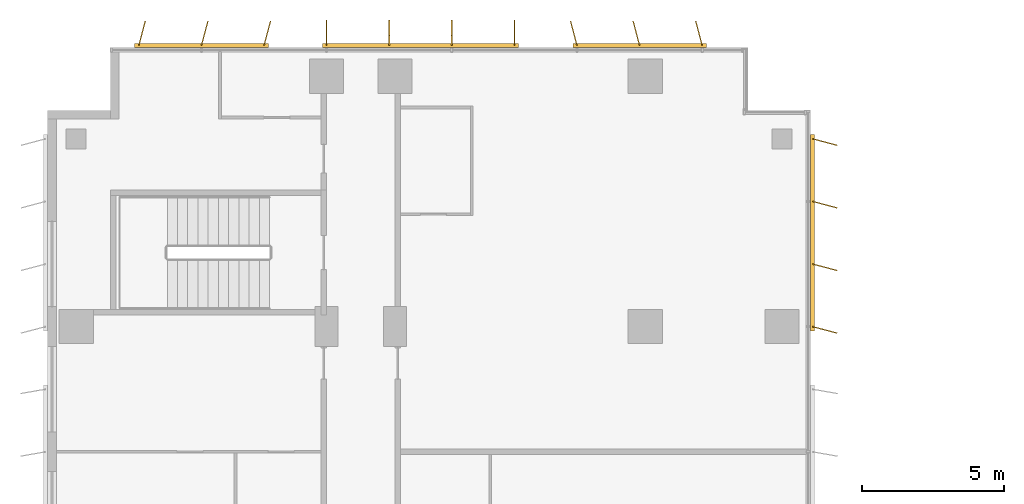
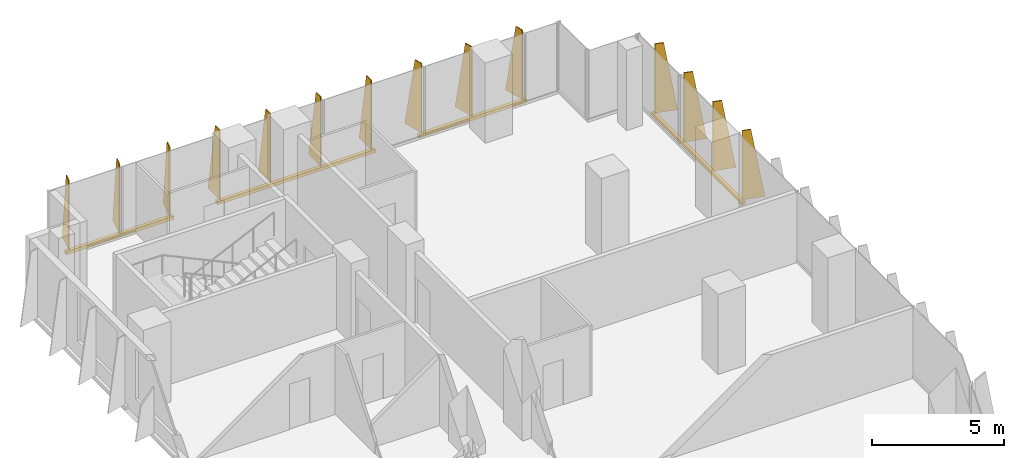
# One storey, part 22 of 22: 4 shading devices.
"""IFC4 building model written with IfcOpenShell, lengths in metres."""

import ifcopenshell
import ifcopenshell.guid

model = None  # the IFC model being written
_history = None  # IfcOwnerHistory: only IFC2X3 demands one
_inside = {}  # id of a spatial element -> (the spatial element, [elements in it])
_under = {}  # id of a project, library or spatial element -> (it, [spatial elements below it])
_declared = {}  # id of a project -> (the project, [libraries it declares])
_typed = {}  # id of a type object -> (the type object, [elements of that type])
_made_of = {}  # id of a material, layer set ... -> (it, [elements and type objects made of it])


def new_model(schema):
    """Start an empty IFC model of exactly this schema.

    Asked for "IFC4X3", IfcOpenShell would pick the latest addendum, in which some entities
    have other attributes; the version numbers below select the first issue.
    IFC2X3 requires an IfcOwnerHistory on every rooted entity: one is made here for all.
    """
    global model, _history
    if schema == "IFC4X3":
        model = ifcopenshell.file(schema_version=(4, 3, 0, 0))
    else:
        model = ifcopenshell.file(schema=schema)
    _inside.clear()
    _under.clear()
    _declared.clear()
    _typed.clear()
    _made_of.clear()
    _history = None
    if model.schema == "IFC2X3":
        org = make("IfcOrganization", Name="unknown")
        user = make(
            "IfcPersonAndOrganization",
            ThePerson=make("IfcPerson", FamilyName="unknown"),
            TheOrganization=org,
        )
        app = make(
            "IfcApplication",
            ApplicationDeveloper=org,
            Version="unknown",
            ApplicationFullName="unknown",
            ApplicationIdentifier="unknown",
        )
        _history = make(
            "IfcOwnerHistory",
            OwningUser=user,
            OwningApplication=app,
            ChangeAction="ADDED",
            CreationDate=0,
        )
    return model


def make(cls, **values):
    """One entity of the class cls with the attributes given. An attribute that is None is left unset."""
    return model.create_entity(
        cls, **{name: value for name, value in values.items() if value is not None}
    )


def rooted(cls, **values):
    """An entity with a GlobalId (a new one), such as an element, a storey or a relation."""
    return make(cls, GlobalId=ifcopenshell.guid.new(), OwnerHistory=_history, **values)


def si_unit(unit_type, name, prefix=None):
    """IfcSIUnit, for example si_unit("LENGTHUNIT", "METRE", prefix="MILLI")."""
    return make("IfcSIUnit", UnitType=unit_type, Prefix=prefix, Name=name)


def assignment(units):
    """IfcUnitAssignment: the units of a project."""
    return None if units is None else make("IfcUnitAssignment", Units=units)


def point(xyz):
    """IfcCartesianPoint."""
    return None if xyz is None else make("IfcCartesianPoint", Coordinates=xyz)


def direction(xyz):
    """IfcDirection."""
    return None if xyz is None else make("IfcDirection", DirectionRatios=xyz)


def frame(location, z_axis=None, x_axis=None):
    """IfcAxis2Placement3D, a coordinate frame: its origin and axes. An axis left out is left unset."""
    return make(
        "IfcAxis2Placement3D",
        Location=point(location),
        Axis=direction(z_axis),
        RefDirection=direction(x_axis),
    )


def frame_2d(location, x_axis=None):
    """IfcAxis2Placement2D, a coordinate frame in the plane: its origin and x axis."""
    return make(
        "IfcAxis2Placement2D", Location=point(location), RefDirection=direction(x_axis)
    )


def origin():
    """The frame at (0, 0, 0) with its axes left unset."""
    return frame((0.0, 0.0, 0.0))


def origin_2d():
    """The frame at (0, 0) in the plane with its x axis left unset."""
    return frame_2d((0.0, 0.0))


def place(relative_to, where):
    """IfcLocalPlacement: puts the frame where relative to a parent placement (None: the world)."""
    return make(
        "IfcLocalPlacement", PlacementRelTo=relative_to, RelativePlacement=where
    )


def context(
    kind, dimensions, precision=None, world=None, true_north=None, identifier=None
):
    """IfcGeometricRepresentationContext, for example the 3D "Model" context."""
    return make(
        "IfcGeometricRepresentationContext",
        ContextIdentifier=identifier,
        ContextType=kind,
        CoordinateSpaceDimension=dimensions,
        Precision=precision,
        WorldCoordinateSystem=world,
        TrueNorth=true_north,
    )


def subcontext(parent, identifier, kind, view, scale=None):
    """IfcGeometricRepresentationSubContext, for example "Body" below "Model"."""
    return make(
        "IfcGeometricRepresentationSubContext",
        ContextIdentifier=identifier,
        ContextType=kind,
        ParentContext=parent,
        TargetScale=scale,
        TargetView=view,
    )


def project(units=None, contexts=None):
    """IfcProject with its units and contexts."""
    return rooted(
        "IfcProject",
        Name="project",
        RepresentationContexts=contexts,
        UnitsInContext=assignment(units),
    )


def spatial(cls, under=None, at=None, **own):
    """A site, building, storey or space (cls), placed at a placement, below another one or the project."""
    s = rooted(cls, ObjectPlacement=at, **own)
    if under is not None:
        _under.setdefault(under.id(), (under, []))[1].append(s)
    return s


def polyline(points):
    """IfcPolyline through the points."""
    return make("IfcPolyline", Points=[point(p) for p in points])


def profile(cls, at=None, kind="AREA", **sizes):
    """A parametric profile (cls). Its sizes go by their IFC names, for example OverallWidth=200.0."""
    return make(cls, ProfileType=kind, Position=at, **sizes)


def rectangle(**sizes):
    """IfcRectangleProfileDef."""
    return profile("IfcRectangleProfileDef", **sizes)


def outline(outer, holes=None, kind="AREA"):
    """IfcArbitraryClosedProfileDef: a profile drawn as a closed curve; with holes, ...WithVoids."""
    if holes is None:
        return make("IfcArbitraryClosedProfileDef", ProfileType=kind, OuterCurve=outer)
    return make(
        "IfcArbitraryProfileDefWithVoids",
        ProfileType=kind,
        OuterCurve=outer,
        InnerCurves=holes,
    )


def extrude(swept, where, along, depth):
    """IfcExtrudedAreaSolid: the profile swept, set in the frame where, extruded along a direction by depth."""
    return make(
        "IfcExtrudedAreaSolid",
        SweptArea=swept,
        Position=where,
        ExtrudedDirection=direction(along),
        Depth=depth,
    )


def shape(context_of_items, identifier, shape_type, items):
    """IfcShapeRepresentation: the items that make up one representation, for example the "Body"."""
    return make(
        "IfcShapeRepresentation",
        ContextOfItems=context_of_items,
        RepresentationIdentifier=identifier,
        RepresentationType=shape_type,
        Items=items,
    )


def source(mapping_origin, context_of_items, identifier, shape_type, items):
    """IfcRepresentationMap: a shape defined once, which mapped items show again and again."""
    return make(
        "IfcRepresentationMap",
        MappingOrigin=mapping_origin,
        MappedRepresentation=shape(context_of_items, identifier, shape_type, items),
    )


def transform(
    local_origin,
    x_axis=None,
    y_axis=None,
    z_axis=None,
    scale=None,
    scale2=None,
    scale3=None,
    uniform=True,
):
    """IfcCartesianTransformationOperator3D, or its non-uniform kind. x_axis, y_axis, z_axis: its Axis1, 2, 3."""
    if uniform:
        return make(
            "IfcCartesianTransformationOperator3D",
            Axis1=direction(x_axis),
            Axis2=direction(y_axis),
            LocalOrigin=point(local_origin),
            Scale=scale,
            Axis3=direction(z_axis),
        )
    return make(
        "IfcCartesianTransformationOperator3DnonUniform",
        Axis1=direction(x_axis),
        Axis2=direction(y_axis),
        LocalOrigin=point(local_origin),
        Scale=scale,
        Axis3=direction(z_axis),
        Scale2=scale2,
        Scale3=scale3,
    )


def mapped(mapping_source, mapping_target):
    """IfcMappedItem: shows the shape of a source again, moved by a transform."""
    return make(
        "IfcMappedItem", MappingSource=mapping_source, MappingTarget=mapping_target
    )


def material(Name=None, Category=None):
    """IfcMaterial."""
    return make("IfcMaterial", Name=Name, Category=Category)


def layer(
    of_material, thickness, ventilated=None, Name=None, Category=None, Priority=None
):
    """IfcMaterialLayer: one layer of a wall or slab, of a material (None: an air gap)."""
    return make(
        "IfcMaterialLayer",
        Material=of_material,
        LayerThickness=thickness,
        IsVentilated=ventilated,
        Name=Name,
        Category=Category,
        Priority=Priority,
    )


def layer_set(layers, Name=None):
    """IfcMaterialLayerSet."""
    return make("IfcMaterialLayerSet", MaterialLayers=layers, LayerSetName=Name)


def made_of(thing, what):
    """Note that an element or type object is made of a material, layer set ...; save() writes the relation."""
    if what is not None:
        _made_of.setdefault(what.id(), (what, []))[1].append(thing)
    return thing


def type_object(cls, material=None, **own):
    """A type object (cls), such as IfcWallType, which elements share."""
    return made_of(rooted(cls, **own), material)


def element(
    cls,
    number,
    at=None,
    inside=None,
    cuts=None,
    type_object=None,
    material=None,
    context=None,
    identifier="Body",
    shape_type=None,
    held_by="IfcProductDefinitionShape",
    body=None,
    shapes=None,
    **own,
):
    """One element of the class cls, such as IfcWall. Its Tag is "e" and its number.

    at: its placement. inside: the storey or other place that contains it. cuts: it is an
    opening in that element (IfcRelVoidsElement). A single representation is given by context,
    identifier, shape_type and body (its items); several are given by shapes. held_by: the class
    of the entity that holds the representations. save() writes the other relations.
    """
    e = rooted(cls, Tag="e%d" % number, ObjectPlacement=at, **own)
    if body is not None:
        shapes = [shape(context, identifier, shape_type, body)]
    if shapes is not None:
        e.Representation = make(held_by, Representations=shapes)
    if inside is not None:
        _inside.setdefault(inside.id(), (inside, []))[1].append(e)
    if cuts is not None:
        rooted(
            "IfcRelVoidsElement", RelatingBuildingElement=cuts, RelatedOpeningElement=e
        )
    if type_object is not None:
        _typed.setdefault(type_object.id(), (type_object, []))[1].append(e)
    return made_of(e, material)


def aggregate(whole, parts):
    """IfcRelAggregates: a whole, such as a stair, and the parts it consists of."""
    return rooted("IfcRelAggregates", RelatingObject=whole, RelatedObjects=parts)


def save(model, path):
    """Write the relations noted so far, then the file.

    IfcRelAggregates (storeys below a building ...), IfcRelContainedInSpatialStructure (elements
    in a storey), IfcRelDefinesByType, IfcRelAssociatesMaterial and IfcRelDeclares: one each for
    every whole, place, type object, material and project.
    """
    for whole, parts in _under.values():
        aggregate(whole, parts)
    for where, things in _inside.values():
        rooted(
            "IfcRelContainedInSpatialStructure",
            RelatedElements=things,
            RelatingStructure=where,
        )
    for kind, things in _typed.values():
        rooted("IfcRelDefinesByType", RelatedObjects=things, RelatingType=kind)
    for what, things in _made_of.values():
        rooted("IfcRelAssociatesMaterial", RelatedObjects=things, RelatingMaterial=what)
    for by, libraries in _declared.values():
        rooted("IfcRelDeclares", RelatingContext=by, RelatedDefinitions=libraries)
    model.write(path)


model = new_model("IFC4")

# Units and contexts
model_context = context("Model", 3, precision=1e-05, world=origin(), true_north=direction((0.0, 1.0)))
body_context = subcontext(model_context, "Body", "Model", "MODEL_VIEW")
ifc_project = project(units=[si_unit("LENGTHUNIT", "METRE"), si_unit("AREAUNIT", "SQUARE_METRE"), si_unit("VOLUMEUNIT", "CUBIC_METRE"), si_unit("PLANEANGLEUNIT", "RADIAN"), si_unit("MASSUNIT", "GRAM", prefix="KILO")], contexts=[model_context])

# Site, building, storey
site_placement = place(None, origin())
site = spatial("IfcSite", under=ifc_project, at=site_placement, CompositionType="ELEMENT")
building_placement = place(site_placement, origin())
building = spatial("IfcBuilding", under=site, at=building_placement, Name="Kemantara Hotel Tower", CompositionType="ELEMENT")
storey_placement = place(building_placement, frame((0.0, 0.0, 149.39990234375)))
storey = spatial("IfcBuildingStorey", under=building, at=storey_placement, Name="L36", CompositionType="ELEMENT", Elevation=149.39990234375)

# Shading devices
ifc_material = material(Name="Perforated aluminium plate 4 mm bronze anodised", Category="aluminium")
ifc_layer_1 = layer(ifc_material, 0.0400390625)
ifc_layer_set_1 = layer_set([ifc_layer_1], Name="Perforated aluminium plate 4 mm bronze anodised")
shading_device_type_1 = type_object("IfcShadingDeviceType", Name="SCREEN FIN CASSETTE, 3 BLADES AT -15.0 DEG, 3200 HIGH", PredefinedType="USERDEFINED", material=ifc_layer_set_1)
shared_shape_1 = source(origin(), body_context, "Body", "SweptSolid", [
    extrude(rectangle(XDim=4.699951171875, YDim=0.14990234375, at=origin_2d()), frame((2.199951171875, -0.074951171875, -0.14990234375), z_axis=(0.0, 0.0, 1.0), x_axis=(1.0, 0.0, 0.0)), (0.0, 0.0, 1.0), 0.14990234375),
    extrude(outline(polyline([(0.0, 0.0), (0.89990234375, 0.0), (0.35009765625, 3.199951171875), (0.0, 3.199951171875), (0.0, 0.0)])), frame((0.019287109375, -0.080078125, 0.0), z_axis=(-0.966437683387, 0.256901156343, 0.0), x_axis=(-0.256901156343, -0.966437683387, 0.0)), (0.0, 0.0, 1.0), 0.039794921875),
    extrude(outline(polyline([(0.0, 0.0), (0.89990234375, 0.0), (0.35009765625, 3.199951171875), (0.0, 3.199951171875), (0.0, 0.0)])), frame((2.21923828125, -0.080078125, 0.0), z_axis=(-0.966437683387, 0.256901156343, 0.0), x_axis=(-0.256901156343, -0.966437683387, 0.0)), (0.0, 0.0, 1.0), 0.039794921875),
    extrude(outline(polyline([(0.0, 0.0), (0.89990234375, 0.0), (0.35009765625, 3.199951171875), (0.0, 3.199951171875), (0.0, 0.0)])), frame((4.41943359375, -0.080078125, 0.0), z_axis=(-0.966837822169, 0.255391122837, 0.0), x_axis=(-0.255391122837, -0.966837822169, 0.0)), (0.0, 0.0, 1.0), 0.0400390625),
])
shading_device_1_placement = place(storey_placement, frame((7.60009765625, 81.199951171875, 0.10009765625), z_axis=(0.0, 0.0, 1.0), x_axis=(-1.0, 0.0, 0.0)))
element("IfcShadingDevice", 1, at=shading_device_1_placement, inside=storey, type_object=shading_device_type_1, Name="SCREEN FIN CASSETTE L36 T2-R01-3", ObjectType="SCREEN FIN", PredefinedType="USERDEFINED", context=body_context, shape_type="MappedRepresentation", body=[
    mapped(shared_shape_1, transform((0.0, 0.0, 0.0))),
])
ifc_layer_2 = layer(ifc_material, 0.0400390625)
ifc_layer_set_2 = layer_set([ifc_layer_2], Name="Perforated aluminium plate 4 mm bronze anodised")
shading_device_type_2 = type_object("IfcShadingDeviceType", Name="SCREEN FIN CASSETTE, 4 BLADES AT +0.0 DEG, 3200 HIGH", PredefinedType="USERDEFINED", material=ifc_layer_set_2)
shared_shape_2 = source(origin(), body_context, "Body", "SweptSolid", [
    extrude(rectangle(XDim=6.89990234375, YDim=0.14990234375, at=origin_2d()), frame((3.300048828125, -0.074951171875, -0.14990234375), z_axis=(0.0, 0.0, 1.0), x_axis=(1.0, 0.0, 0.0)), (0.0, 0.0, 1.0), 0.14990234375),
    extrude(outline(polyline([(0.0, 0.0), (0.89990234375, 0.0), (0.35009765625, 3.199951171875), (0.0, 3.199951171875), (0.0, 0.0)])), frame((0.02001953125, -0.074951171875, 0.0), z_axis=(-1.0, 0.0, 0.0), x_axis=(0.0, -1.0, 0.0)), (0.0, 0.0, 1.0), 0.0400390625),
    extrude(outline(polyline([(0.0, 0.0), (0.89990234375, 0.0), (0.35009765625, 3.199951171875), (0.0, 3.199951171875), (0.0, 0.0)])), frame((2.219970703125, -0.074951171875, 0.0), z_axis=(-1.0, 0.0, 0.0), x_axis=(0.0, -1.0, 0.0)), (0.0, 0.0, 1.0), 0.0400390625),
    extrude(outline(polyline([(0.0, 0.0), (0.89990234375, 0.0), (0.35009765625, 3.199951171875), (0.0, 3.199951171875), (0.0, 0.0)])), frame((4.419921875, -0.074951171875, 0.0), z_axis=(-1.0, 0.0, 0.0), x_axis=(0.0, -1.0, 0.0)), (0.0, 0.0, 1.0), 0.0400390625),
    extrude(outline(polyline([(0.0, 0.0), (0.89990234375, 0.0), (0.35009765625, 3.199951171875), (0.0, 3.199951171875), (0.0, 0.0)])), frame((6.6201171875, -0.074951171875, 0.0), z_axis=(-1.0, 0.0, 0.0), x_axis=(0.0, -1.0, 0.0)), (0.0, 0.0, 1.0), 0.0400390625),
])
shading_device_2_placement = place(storey_placement, frame((16.39990234375, 81.199951171875, 0.10009765625), z_axis=(0.0, 0.0, 1.0), x_axis=(-1.0, 0.0, 0.0)))
element("IfcShadingDevice", 2, at=shading_device_2_placement, inside=storey, type_object=shading_device_type_2, Name="SCREEN FIN CASSETTE L36 T2-R01-2", ObjectType="SCREEN FIN", PredefinedType="USERDEFINED", context=body_context, shape_type="MappedRepresentation", body=[
    mapped(shared_shape_2, transform((0.0, 0.0, 0.0))),
])
ifc_layer_3 = layer(ifc_material, 0.0400390625)
ifc_layer_set_3 = layer_set([ifc_layer_3], Name="Perforated aluminium plate 4 mm bronze anodised")
shading_device_type_3 = type_object("IfcShadingDeviceType", Name="SCREEN FIN CASSETTE, 3 BLADES AT +15.0 DEG, 3200 HIGH", PredefinedType="USERDEFINED", material=ifc_layer_set_3)
shared_shape_3 = source(origin(), body_context, "Body", "SweptSolid", [
    extrude(rectangle(XDim=4.699951171875, YDim=0.14990234375, at=origin_2d()), frame((2.199951171875, -0.074951171875, -0.14990234375), z_axis=(0.0, 0.0, 1.0), x_axis=(1.0, 0.0, 0.0)), (0.0, 0.0, 1.0), 0.14990234375),
    extrude(outline(polyline([(0.0, 0.0), (0.89990234375, 0.0), (0.35009765625, 3.199951171875), (0.0, 3.199951171875), (0.0, 0.0)])), frame((0.019287109375, -0.06982421875, 0.0), z_axis=(-0.966437683387, -0.256901156343, 0.0), x_axis=(0.256901156343, -0.966437683387, 0.0)), (0.0, 0.0, 1.0), 0.039794921875),
    extrude(outline(polyline([(0.0, 0.0), (0.89990234375, 0.0), (0.35009765625, 3.199951171875), (0.0, 3.199951171875), (0.0, 0.0)])), frame((2.21923828125, -0.06982421875, 0.0), z_axis=(-0.966437683387, -0.256901156343, 0.0), x_axis=(0.256901156343, -0.966437683387, 0.0)), (0.0, 0.0, 1.0), 0.039794921875),
    extrude(outline(polyline([(0.0, 0.0), (0.89990234375, 0.0), (0.35009765625, 3.199951171875), (0.0, 3.199951171875), (0.0, 0.0)])), frame((4.41943359375, -0.06982421875, 0.0), z_axis=(-0.966837822169, -0.255391122837, 0.0), x_axis=(0.255391122837, -0.966837822169, 0.0)), (0.0, 0.0, 1.0), 0.0400390625),
])
shading_device_3_placement = place(storey_placement, frame((23.0, 81.199951171875, 0.10009765625), z_axis=(0.0, 0.0, 1.0), x_axis=(-1.0, 0.0, 0.0)))
element("IfcShadingDevice", 3, at=shading_device_3_placement, inside=storey, type_object=shading_device_type_3, Name="SCREEN FIN CASSETTE L36 T2-R01-1", ObjectType="SCREEN FIN", PredefinedType="USERDEFINED", context=body_context, shape_type="MappedRepresentation", body=[
    mapped(shared_shape_3, transform((0.0, 0.0, 0.0))),
])
ifc_layer_4 = layer(ifc_material, 0.0400390625)
ifc_layer_set_4 = layer_set([ifc_layer_4], Name="Perforated aluminium plate 4 mm bronze anodised")
shading_device_type_4 = type_object("IfcShadingDeviceType", Name="SCREEN FIN CASSETTE, 4 BLADES AT -15.0 DEG, 3200 HIGH", PredefinedType="USERDEFINED", material=ifc_layer_set_4)
shared_shape_4 = source(origin(), body_context, "Body", "SweptSolid", [
    extrude(rectangle(XDim=6.89990234375, YDim=0.14990234375, at=origin_2d()), frame((3.300048828125, -0.074951171875, -0.14990234375), z_axis=(0.0, 0.0, 1.0), x_axis=(1.0, 0.0, 0.0)), (0.0, 0.0, 1.0), 0.14990234375),
    extrude(outline(polyline([(0.0, 0.0), (0.89990234375, 0.0), (0.35009765625, 3.199951171875), (0.0, 3.199951171875), (0.0, 0.0)])), frame((0.019287109375, -0.080078125, 0.0), z_axis=(-0.966437683387, 0.256901156343, 0.0), x_axis=(-0.256901156343, -0.966437683387, 0.0)), (0.0, 0.0, 1.0), 0.039794921875),
    extrude(outline(polyline([(0.0, 0.0), (0.89990234375, 0.0), (0.35009765625, 3.199951171875), (0.0, 3.199951171875), (0.0, 0.0)])), frame((2.21923828125, -0.080078125, 0.0), z_axis=(-0.966437683387, 0.256901156343, 0.0), x_axis=(-0.256901156343, -0.966437683387, 0.0)), (0.0, 0.0, 1.0), 0.039794921875),
    extrude(outline(polyline([(0.0, 0.0), (0.89990234375, 0.0), (0.35009765625, 3.199951171875), (0.0, 3.199951171875), (0.0, 0.0)])), frame((4.41943359375, -0.080078125, 0.0), z_axis=(-0.966837822169, 0.255391122837, 0.0), x_axis=(-0.255391122837, -0.966837822169, 0.0)), (0.0, 0.0, 1.0), 0.0400390625),
    extrude(outline(polyline([(0.0, 0.0), (0.89990234375, 0.0), (0.35009765625, 3.199951171875), (0.0, 3.199951171875), (0.0, 0.0)])), frame((6.619384765625, -0.080078125, 0.0), z_axis=(-0.966837822169, 0.255391122837, 0.0), x_axis=(-0.255391122837, -0.966837822169, 0.0)), (0.0, 0.0, 1.0), 0.0400390625),
])
shading_device_4_placement = place(storey_placement, frame((26.800048828125, 71.39990234375, 0.10009765625), z_axis=(0.0, 0.0, 1.0), x_axis=(0.0, 1.0, 0.0)))
element("IfcShadingDevice", 4, at=shading_device_4_placement, inside=storey, type_object=shading_device_type_4, Name="SCREEN FIN CASSETTE L36 T2-R14-7", ObjectType="SCREEN FIN", PredefinedType="USERDEFINED", context=body_context, shape_type="MappedRepresentation", body=[
    mapped(shared_shape_4, transform((0.0, 0.0, 0.0))),
])

save(model, "model.ifc")
